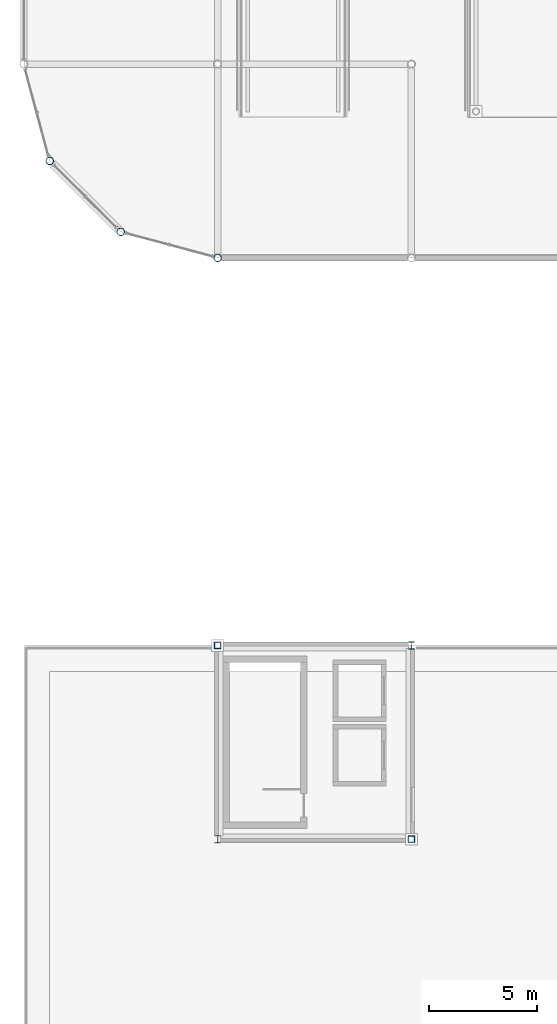
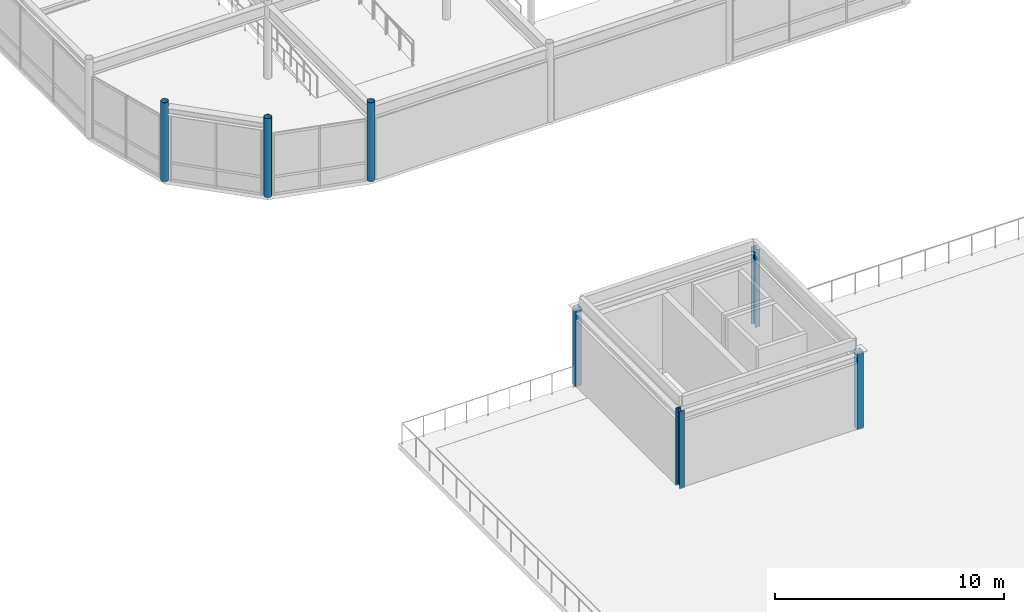
# One storey, part 1 of 70: 7 columns.
"""IFC4 building model written with IfcOpenShell, lengths in metres."""

from ifc_helpers import new_model, si_unit, direction, frame, origin, origin_2d, place, context, subcontext, project, spatial, hollow_rectangle, hollow_circle, i_section, extrude, material, material_profile, profile_set, type_object, element, save


model = new_model("IFC4")

# Units and contexts
model_context = context("Model", 3, precision=1e-05, world=origin(), true_north=direction((0.0, 1.0)))
body_context = subcontext(model_context, "Body", "Model", "MODEL_VIEW")
ifc_project = project(units=[si_unit("LENGTHUNIT", "METRE"), si_unit("AREAUNIT", "SQUARE_METRE"), si_unit("VOLUMEUNIT", "CUBIC_METRE"), si_unit("PLANEANGLEUNIT", "RADIAN"), si_unit("MASSUNIT", "GRAM", prefix="KILO")], contexts=[model_context])

# Site, building, storey
site_placement = place(None, origin())
site = spatial("IfcSite", under=ifc_project, at=site_placement, CompositionType="ELEMENT")
building_placement = place(site_placement, origin())
building = spatial("IfcBuilding", under=site, at=building_placement, Name="Suzunagisa Mobility Hub", CompositionType="ELEMENT")
storey_placement = place(building_placement, frame((0.0, 0.0, 13.5)))
storey = spatial("IfcBuildingStorey", under=building, at=storey_placement, Name="L03", CompositionType="ELEMENT", Elevation=13.5)

# Columns
ifc_material = material(Name="Steel SN490B", Category="steel")
ifc_material_profile_1 = material_profile(ifc_material, i_section(OverallWidth=0.25, OverallDepth=0.340087890625, WebThickness=0.009033203125, FlangeThickness=0.013916015625, FilletRadius=0.010009765625, at=origin_2d()), Name="H-340x250x9x14")
ifc_profile_set_1 = profile_set([ifc_material_profile_1], Name="Steel SN490B")
column_type_1 = type_object("IfcColumnType", Name="Steel Column CL-02 H-340x250x9x14", PredefinedType="COLUMN", material=ifc_profile_set_1)
for number, where, z_axis, x_axis, name in (
    (1, (9.0, 53.0, 0.0), (0.0, 0.0, 1.0), (1.0, 0.0, 0.0), "L03 Column 26"),
    (2, (18.0, 62.0, 0.0), (0.0, 0.0, 1.0), (1.0, 0.0, 0.0), "L03 Column 48"),
):
    element("IfcColumn", number, at=place(storey_placement, frame(where, z_axis=z_axis, x_axis=x_axis)), inside=storey, type_object=column_type_1, Name=name, PredefinedType="COLUMN", context=body_context, shape_type="SweptSolid", body=[
        extrude(i_section(OverallWidth=0.25, OverallDepth=0.340087890625, WebThickness=0.009033203125, FlangeThickness=0.013916015625, FilletRadius=0.010009765625, at=origin_2d()), origin(), (0.0, 0.0, 1.0), 4.139892578125),
    ])
ifc_material_profile_2 = material_profile(ifc_material, hollow_rectangle(XDim=0.300048828125, YDim=0.300048828125, WallThickness=0.011962890625, at=origin_2d()), Name="BCR-300x300x12")
ifc_profile_set_2 = profile_set([ifc_material_profile_2], Name="Steel SN490B")
column_type_2 = type_object("IfcColumnType", Name="Steel Column CL-12 BCR-300x300x12", PredefinedType="COLUMN", material=ifc_profile_set_2)
for number, where, z_axis, x_axis, name in (
    (3, (9.0, 62.0, 0.0), (0.0, 0.0, 1.0), (1.0, 0.0, 0.0), "L03 Column 27"),
    (4, (18.0, 53.0, 0.0), (0.0, 0.0, 1.0), (1.0, 0.0, 0.0), "L03 Column 47"),
):
    element("IfcColumn", number, at=place(storey_placement, frame(where, z_axis=z_axis, x_axis=x_axis)), inside=storey, type_object=column_type_2, Name=name, PredefinedType="COLUMN", context=body_context, shape_type="SweptSolid", body=[
        extrude(hollow_rectangle(XDim=0.300048828125, YDim=0.300048828125, WallThickness=0.011962890625, at=origin_2d()), origin(), (0.0, 0.0, 1.0), 4.139892578125),
    ])
ifc_material_profile_3 = material_profile(ifc_material, hollow_circle(Radius=0.177734375, WallThickness=0.0126953125, at=origin_2d()), Name="CHS-355.6x12.7")
ifc_profile_set_3 = profile_set([ifc_material_profile_3], Name="Steel SN490B")
column_type_3 = type_object("IfcColumnType", Name="Steel Column CL-18 CHS-355.6x12.7", PredefinedType="COLUMN", material=ifc_profile_set_3)
for number, where, z_axis, x_axis, name in (
    (5, (1.205810546875, 84.5, 0.0), (0.0, 0.0, 1.0), (1.0, 0.0, 0.0), "L03 Column 13"),
    (6, (4.5, 81.205810546875, 0.0), (0.0, 0.0, 1.0), (1.0, 0.0, 0.0), "L03 Column 18"),
    (7, (9.0, 80.0, 0.0), (0.0, 0.0, 1.0), (1.0, 0.0, 0.0), "L03 Column 28"),
):
    element("IfcColumn", number, at=place(storey_placement, frame(where, z_axis=z_axis, x_axis=x_axis)), inside=storey, type_object=column_type_3, Name=name, PredefinedType="COLUMN", context=body_context, shape_type="SweptSolid", body=[
        extrude(hollow_circle(Radius=0.177734375, WallThickness=0.0126953125, at=origin_2d()), origin(), (0.0, 0.0, 1.0), 4.199951171875),
    ])

save(model, "model.ifc")
